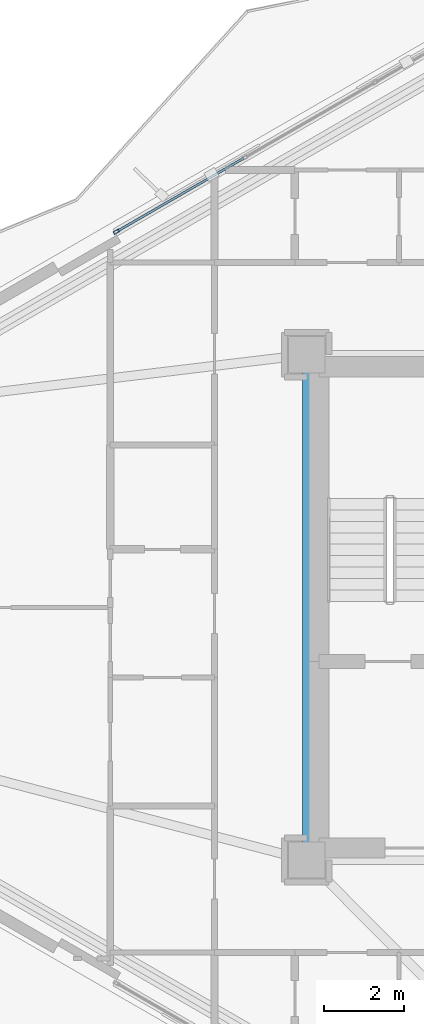
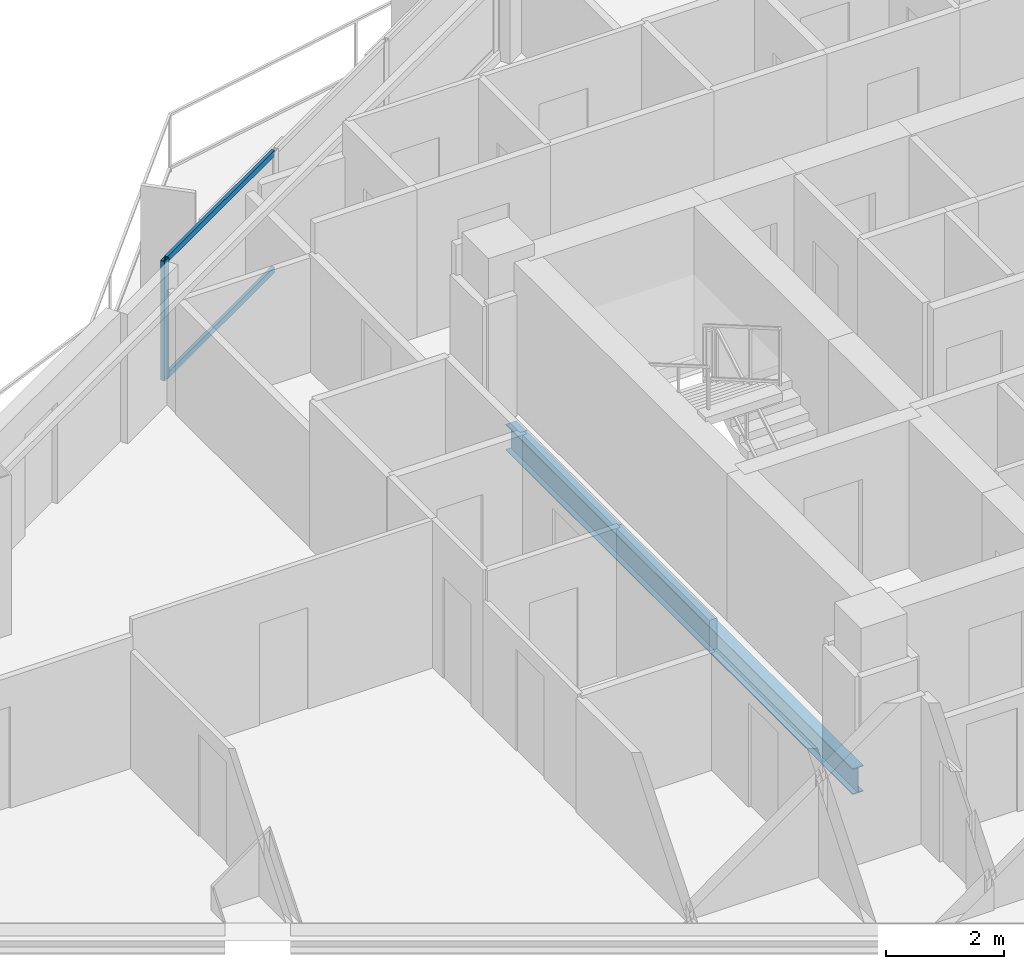
# One storey, part 6 of 23: 3 members, 1 beam, 1 element without a shape of its own.
"""IFC4 building model written with IfcOpenShell, lengths in metres."""

from ifc_helpers import new_model, si_unit, direction, frame, origin, origin_2d, place, context, subcontext, project, spatial, hollow_rectangle, i_section, extrude, material, layer, layer_set, material_profile, profile_set, type_object, element, aggregate, save


model = new_model("IFC4")

# Units and contexts
model_context = context("Model", 3, precision=1e-05, world=origin(), true_north=direction((0.0, 1.0)))
body_context = subcontext(model_context, "Body", "Model", "MODEL_VIEW")
ifc_project = project(units=[si_unit("LENGTHUNIT", "METRE"), si_unit("AREAUNIT", "SQUARE_METRE"), si_unit("VOLUMEUNIT", "CUBIC_METRE"), si_unit("PLANEANGLEUNIT", "RADIAN"), si_unit("MASSUNIT", "GRAM", prefix="KILO")], contexts=[model_context])

# Site, building, storey
site_placement = place(None, origin())
site = spatial("IfcSite", under=ifc_project, at=site_placement, CompositionType="ELEMENT")
building_placement = place(site_placement, origin())
building = spatial("IfcBuilding", under=site, at=building_placement, Name="Mersakhor Tower and Convention Hall", CompositionType="ELEMENT")
storey_placement = place(building_placement, frame((0.0, 0.0, 93.300048828125)))
storey = spatial("IfcBuildingStorey", under=building, at=storey_placement, Name="L25", CompositionType="ELEMENT", Elevation=93.300048828125)

# Beam
ifc_material_1 = material(Name="Steel S355", Category="steel")
ifc_material_profile_1 = material_profile(ifc_material_1, i_section(OverallWidth=0.2099609375, OverallDepth=0.53662109375, WebThickness=0.0107421875, FlangeThickness=0.017333984375, at=origin_2d()), Name="UB 533x210x101")
ifc_profile_set_1 = profile_set([ifc_material_profile_1], Name="Steel S355")
beam_type = type_object("IfcBeamType", Name="BM-FB-533", PredefinedType="BEAM", material=ifc_profile_set_1)
beam_placement = place(storey_placement, frame((21.89990234375, 20.8798828125, -0.5185546875), z_axis=(0.0, 1.0, 0.0), x_axis=(-1.0, 0.0, 0.0)))
element("IfcBeam", 1, at=beam_placement, inside=storey, type_object=beam_type, Name="L25 Core Ring Tie Beam CRB-1", PredefinedType="BEAM", context=body_context, shape_type="SweptSolid", body=[
    extrude(i_section(OverallWidth=0.2099609375, OverallDepth=0.53662109375, WebThickness=0.0107421875, FlangeThickness=0.017333984375, at=origin_2d()), origin(), (0.0, 0.0, 1.0), 11.740234375),
])

# Curtain wall, members
ifc_material_2 = material(Name="Dark solar low-E aluminium curtain wall", Category="aluminium")
ifc_layer = layer(ifc_material_2, 0.159912109375)
ifc_layer_set = layer_set([ifc_layer], Name="Dark solar low-E aluminium curtain wall")
curtain_wall_type = type_object("IfcCurtainWallType", Name="CW-SYS-01", PredefinedType="USERDEFINED", material=ifc_layer_set)
curtain_wall_placement = place(storey_placement, origin())
curtain_wall = element("IfcCurtainWall", 2, at=curtain_wall_placement, inside=storey, type_object=curtain_wall_type, Name="L25 Dark-Glass Curtain Wall F1-B2", ObjectType="CURTAIN WALL", PredefinedType="USERDEFINED")
ifc_material_3 = material(Name="Anodised aluminium EN AW-6063 T6", Category="aluminium")
ifc_material_profile_2 = material_profile(ifc_material_3, hollow_rectangle(XDim=0.074951171875, YDim=0.14990234375, WallThickness=0.00634765625, at=origin_2d()), Name="RHS 150x75x6.3")
ifc_profile_set_2 = profile_set([ifc_material_profile_2], Name="Anodised aluminium EN AW-6063 T6")
member_type_1 = type_object("IfcMemberType", Name="CWM-150x75", PredefinedType="MULLION", material=ifc_profile_set_2)
member_1_placement = place(storey_placement, frame((17.152587890625, 36.11572265625, 0.199951171875), z_axis=(0.0, 0.0, 1.0), x_axis=(-0.499997904985, 0.866026613339, 0.0)))
member_1 = element("IfcMember", 3, at=member_1_placement, type_object=member_type_1, Name="CW-01 mullion 1", PredefinedType="MULLION", context=body_context, shape_type="SweptSolid", body=[
    extrude(hollow_rectangle(XDim=0.074951171875, YDim=0.14990234375, WallThickness=0.00634765625, at=origin_2d()), origin(), (0.0, 0.0, 1.0), 2.469970703125),
])
ifc_material_4 = material(Name="Anodised aluminium EN AW-6063 T6", Category="aluminium")
ifc_material_profile_3 = material_profile(ifc_material_4, hollow_rectangle(XDim=0.06005859375, YDim=0.1201171875, WallThickness=0.0048828125, at=origin_2d()), Name="RHS 120x60x5")
ifc_profile_set_3 = profile_set([ifc_material_profile_3], Name="Anodised aluminium EN AW-6063 T6")
member_type_2 = type_object("IfcMemberType", Name="CWT-120x60", PredefinedType="USERDEFINED", material=ifc_profile_set_3)
member_2_placement = place(storey_placement, frame((17.18505859375, 36.134521484375, 0.22998046875), z_axis=(0.866045614266, 0.499964992784, 0.0), x_axis=(-0.499964992784, 0.866045614266, 0.0)))
member_2 = element("IfcMember", 4, at=member_2_placement, type_object=member_type_2, Name="CW-01 transom 1.1", ObjectType="TRANSOM", PredefinedType="USERDEFINED", context=body_context, shape_type="SweptSolid", body=[
    extrude(hollow_rectangle(XDim=0.06005859375, YDim=0.1201171875, WallThickness=0.0048828125, at=origin_2d()), origin(), (0.0, 0.0, 1.0), 3.630615234375),
])
member_3_placement = place(storey_placement, frame((17.18505859375, 36.134521484375, 2.639892578125), z_axis=(0.866045614266, 0.499964992784, 0.0), x_axis=(-0.499964992784, 0.866045614266, 0.0)))
member_3 = element("IfcMember", 5, at=member_3_placement, type_object=member_type_2, Name="CW-01 transom 1.2", ObjectType="TRANSOM", PredefinedType="USERDEFINED", context=body_context, shape_type="SweptSolid", body=[
    extrude(hollow_rectangle(XDim=0.06005859375, YDim=0.1201171875, WallThickness=0.0048828125, at=origin_2d()), origin(), (0.0, 0.0, 1.0), 3.630615234375),
])
aggregate(curtain_wall, [member_1, member_2, member_3])

save(model, "model.ifc")
